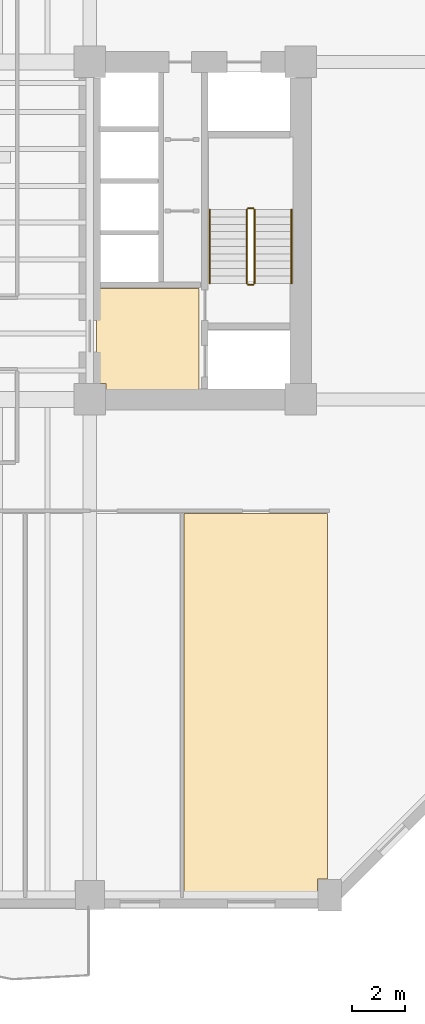
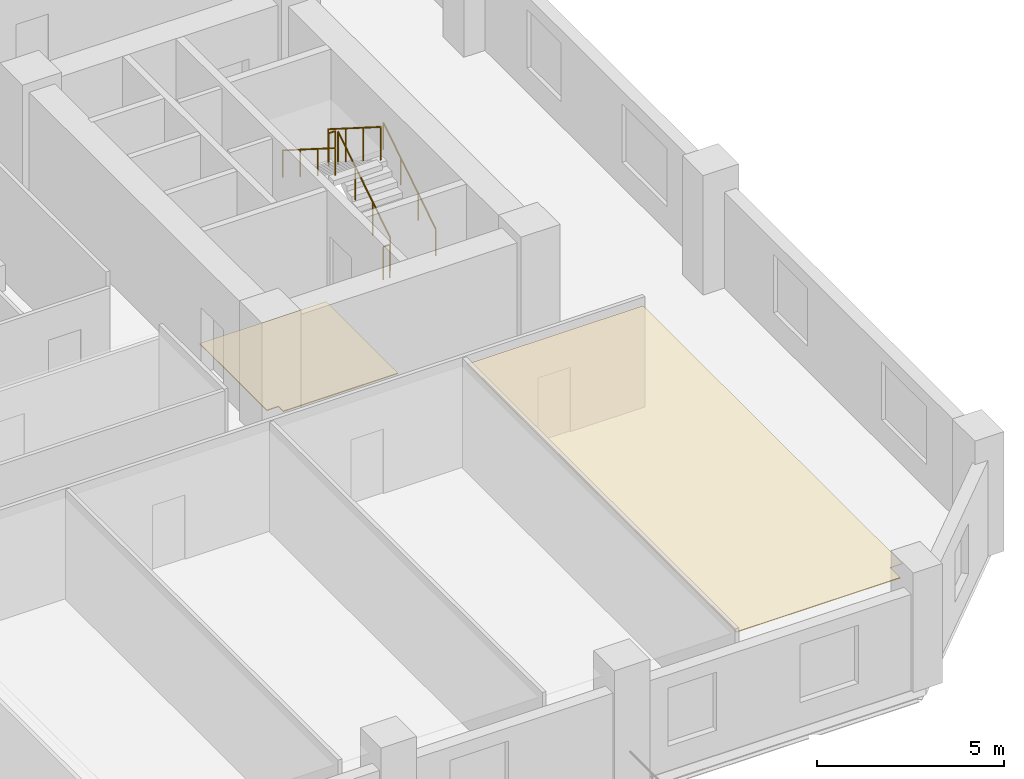
# One storey, part 8 of 10: 6 railings, 2 coverings.
"""IFC4 building model written with IfcOpenShell, lengths in metres."""

from ifc_helpers import new_model, si_unit, direction, frame, origin, origin_2d, place, context, subcontext, project, spatial, polyline, circle, outline, extrude, material, layer, layer_set, type_object, element, save


model = new_model("IFC4")

# Units and contexts
model_context = context("Model", 3, precision=1e-05, world=origin(), true_north=direction((0.0, 1.0)))
body_context = subcontext(model_context, "Body", "Model", "MODEL_VIEW")
ifc_project = project(units=[si_unit("LENGTHUNIT", "METRE"), si_unit("AREAUNIT", "SQUARE_METRE"), si_unit("VOLUMEUNIT", "CUBIC_METRE"), si_unit("PLANEANGLEUNIT", "RADIAN"), si_unit("MASSUNIT", "GRAM", prefix="KILO")], contexts=[model_context])

# Site, building, storey
site_placement = place(None, origin())
site = spatial("IfcSite", under=ifc_project, at=site_placement, CompositionType="ELEMENT")
building_placement = place(site_placement, origin())
building = spatial("IfcBuilding", under=site, at=building_placement, Name="Kranthara Brick Stack", CompositionType="ELEMENT")
storey_placement = place(building_placement, frame((0.0, 0.0, 36.0)))
storey = spatial("IfcBuildingStorey", under=building, at=storey_placement, Name="L08", CompositionType="ELEMENT", Elevation=36.0)

# Coverings
ifc_material_1 = material(Name="Perforated mineral-fibre acoustic ceiling tile", Category="other")
ifc_layer_1 = layer(ifc_material_1, 0.02490234375)
ifc_layer_set_1 = layer_set([ifc_layer_1], Name="Perforated mineral-fibre acoustic ceiling tile")
covering_type_1 = type_object("IfcCoveringType", Name="COV-CEIL-ACOUSTIC", PredefinedType="CEILING", material=ifc_layer_set_1)
covering_1_placement = place(storey_placement, frame((0.0, 0.0, 3.330078125)))
element("IfcCovering", 1, at=covering_1_placement, inside=storey, type_object=covering_type_1, Name="L08 L08 Boardroom 6 Acoustic Ceiling", PredefinedType="CEILING", context=body_context, shape_type="SweptSolid", body=[
    extrude(outline(polyline([(38.780029296875, 2.070068359375), (38.780029296875, 16.47998046875), (44.219970703125, 16.47998046875), (44.219970703125, 2.610107421875), (43.840087890625, 2.610107421875), (43.840087890625, 2.070068359375), (38.780029296875, 2.070068359375)])), origin(), (0.0, 0.0, 1.0), 0.02490234375),
])
ifc_material_2 = material(Name="Honed terrazzo and porcelain floor finish", Category="stone")
ifc_layer_2 = layer(ifc_material_2, 0.030029296875)
ifc_layer_set_2 = layer_set([ifc_layer_2], Name="Honed terrazzo and porcelain floor finish")
covering_type_2 = type_object("IfcCoveringType", Name="COV-FLOR-STONE", PredefinedType="FLOORING", material=ifc_layer_set_2)
covering_2_placement = place(storey_placement, origin())
element("IfcCovering", 2, at=covering_2_placement, inside=storey, type_object=covering_type_2, Name="L08 Lift Lobby Stone Flooring", PredefinedType="FLOORING", context=body_context, shape_type="SweptSolid", body=[
    extrude(outline(polyline([(35.449951171875, 25.0), (39.35009765625, 25.0), (39.35009765625, 21.14990234375), (35.81005859375, 21.14990234375), (35.81005859375, 21.409912109375), (35.449951171875, 21.409912109375), (35.449951171875, 25.0)])), origin(), (0.0, 0.0, 1.0), 0.030029296875),
])

# Railings
ifc_material_3 = material(Name="Painted galvanized steel stair guardrail", Category="steel")
railing_type_1 = type_object("IfcRailingType", Name="RL-STAIR-GUARD-1100", PredefinedType="GUARDRAIL", material=ifc_material_3)
railing_1_placement = place(storey_placement, frame((41.449951171875, 25.199951171875, 0.17724609375)))
element("IfcRailing", 3, at=railing_1_placement, inside=storey, type_object=railing_type_1, Name="L08 ST02 stair guard 1", PredefinedType="GUARDRAIL", context=body_context, shape_type="SweptSolid", body=[
    extrude(circle(Radius=0.02392578125, at=origin_2d()), frame((0.0, 0.0, 1.076171875), z_axis=(0.0, 0.844908973607, 0.534910110503), x_axis=(-1.0, 0.0, 0.0)), (0.0, 0.0, 1.0), 3.31396484375),
    extrude(circle(Radius=0.02099609375, at=origin_2d()), origin(), (0.0, 0.0, 1.0), 1.052001953125),
    extrude(circle(Radius=0.02099609375, at=origin_2d()), frame((0.0, 0.933349609375, 0.5908203125)), (0.0, 0.0, 1.0), 1.052001953125),
    extrude(circle(Radius=0.02099609375, at=origin_2d()), frame((0.0, 1.86669921875, 1.181884765625)), (0.0, 0.0, 1.0), 1.052001953125),
    extrude(circle(Radius=0.02099609375, at=origin_2d()), frame((0.0, 2.800048828125, 1.772705078125)), (0.0, 0.0, 1.0), 1.052001953125),
])
railing_2_placement = place(storey_placement, frame((41.39990234375, 28.050048828125, 1.949951171875)))
element("IfcRailing", 4, at=railing_2_placement, inside=storey, type_object=railing_type_1, Name="L08 ST02 stair guard 2", PredefinedType="GUARDRAIL", context=body_context, shape_type="SweptSolid", body=[
    extrude(circle(Radius=0.02392578125, at=origin_2d()), frame((0.0, 0.0, 1.076171875), z_axis=(-1.0, 0.0, 0.0), x_axis=(0.0, -1.0, 0.0)), (0.0, 0.0, 1.0), 0.199951171875),
    extrude(circle(Radius=0.02099609375, at=origin_2d()), origin(), (0.0, 0.0, 1.0), 1.052001953125),
    extrude(circle(Radius=0.02099609375, at=origin_2d()), frame((-0.199951171875, 0.0, 0.0)), (0.0, 0.0, 1.0), 1.052001953125),
])
railing_3_placement = place(storey_placement, frame((41.14990234375, 28.0, 2.127197265625)))
element("IfcRailing", 5, at=railing_3_placement, inside=storey, type_object=railing_type_1, Name="L08 ST02 stair guard 3", PredefinedType="GUARDRAIL", context=body_context, shape_type="SweptSolid", body=[
    extrude(circle(Radius=0.02392578125, at=origin_2d()), frame((0.0, 0.0, 1.076171875), z_axis=(0.0, -0.844908973607, 0.534910110503), x_axis=(1.0, 0.0, 0.0)), (0.0, 0.0, 1.0), 3.31396484375),
    extrude(circle(Radius=0.02099609375, at=origin_2d()), origin(), (0.0, 0.0, 1.0), 1.052001953125),
    extrude(circle(Radius=0.02099609375, at=origin_2d()), frame((0.0, -0.933349609375, 0.5908203125)), (0.0, 0.0, 1.0), 1.052001953125),
    extrude(circle(Radius=0.02099609375, at=origin_2d()), frame((0.0, -1.86669921875, 1.181884765625)), (0.0, 0.0, 1.0), 1.052001953125),
    extrude(circle(Radius=0.02099609375, at=origin_2d()), frame((0.0, -2.800048828125, 1.772705078125)), (0.0, 0.0, 1.0), 1.052001953125),
])
railing_4_placement = place(storey_placement, frame((41.39990234375, 25.14990234375, 0.0)))
element("IfcRailing", 6, at=railing_4_placement, inside=storey, type_object=railing_type_1, Name="L08 ST02 stair guard 4", PredefinedType="GUARDRAIL", context=body_context, shape_type="SweptSolid", body=[
    extrude(circle(Radius=0.02392578125, at=origin_2d()), frame((0.0, 0.0, 1.076171875), z_axis=(-1.0, 0.0, 0.0), x_axis=(0.0, -1.0, 0.0)), (0.0, 0.0, 1.0), 0.199951171875),
    extrude(circle(Radius=0.02099609375, at=origin_2d()), origin(), (0.0, 0.0, 1.0), 1.052001953125),
    extrude(circle(Radius=0.02099609375, at=origin_2d()), frame((-0.199951171875, 0.0, 0.0)), (0.0, 0.0, 1.0), 1.052001953125),
])
ifc_material_4 = material(Name="Brushed stainless steel tubular handrail", Category="steel")
railing_type_2 = type_object("IfcRailingType", Name="RL-STAIR-HAND-900", PredefinedType="HANDRAIL", material=ifc_material_4)
railing_5_placement = place(storey_placement, frame((42.85009765625, 25.199951171875, 0.17724609375)))
element("IfcRailing", 7, at=railing_5_placement, inside=storey, type_object=railing_type_2, Name="L08 ST02 stair handrail 1", PredefinedType="HANDRAIL", context=body_context, shape_type="SweptSolid", body=[
    extrude(circle(Radius=0.02392578125, at=origin_2d()), frame((0.0, 0.0, 0.8759765625), z_axis=(0.0, 0.844908973607, 0.534910110503), x_axis=(-1.0, 0.0, 0.0)), (0.0, 0.0, 1.0), 3.31396484375),
    extrude(circle(Radius=0.02099609375, at=origin_2d()), origin(), (0.0, 0.0, 1.0), 0.851806640625),
    extrude(circle(Radius=0.02099609375, at=origin_2d()), frame((0.0, 0.933349609375, 0.5908203125)), (0.0, 0.0, 1.0), 0.851806640625),
    extrude(circle(Radius=0.02099609375, at=origin_2d()), frame((0.0, 1.86669921875, 1.181884765625)), (0.0, 0.0, 1.0), 0.851806640625),
    extrude(circle(Radius=0.02099609375, at=origin_2d()), frame((0.0, 2.800048828125, 1.772705078125)), (0.0, 0.0, 1.0), 0.851806640625),
])
railing_6_placement = place(storey_placement, frame((39.75, 28.0, 2.127197265625)))
element("IfcRailing", 8, at=railing_6_placement, inside=storey, type_object=railing_type_2, Name="L08 ST02 stair handrail 2", PredefinedType="HANDRAIL", context=body_context, shape_type="SweptSolid", body=[
    extrude(circle(Radius=0.02392578125, at=origin_2d()), frame((0.0, 0.0, 0.8759765625), z_axis=(0.0, -0.844908973607, 0.534910110503), x_axis=(1.0, 0.0, 0.0)), (0.0, 0.0, 1.0), 3.31396484375),
    extrude(circle(Radius=0.02099609375, at=origin_2d()), origin(), (0.0, 0.0, 1.0), 0.851806640625),
    extrude(circle(Radius=0.02099609375, at=origin_2d()), frame((0.0, -0.933349609375, 0.5908203125)), (0.0, 0.0, 1.0), 0.851806640625),
    extrude(circle(Radius=0.02099609375, at=origin_2d()), frame((0.0, -1.86669921875, 1.181884765625)), (0.0, 0.0, 1.0), 0.851806640625),
    extrude(circle(Radius=0.02099609375, at=origin_2d()), frame((0.0, -2.800048828125, 1.772705078125)), (0.0, 0.0, 1.0), 0.851806640625),
])

save(model, "model.ifc")
